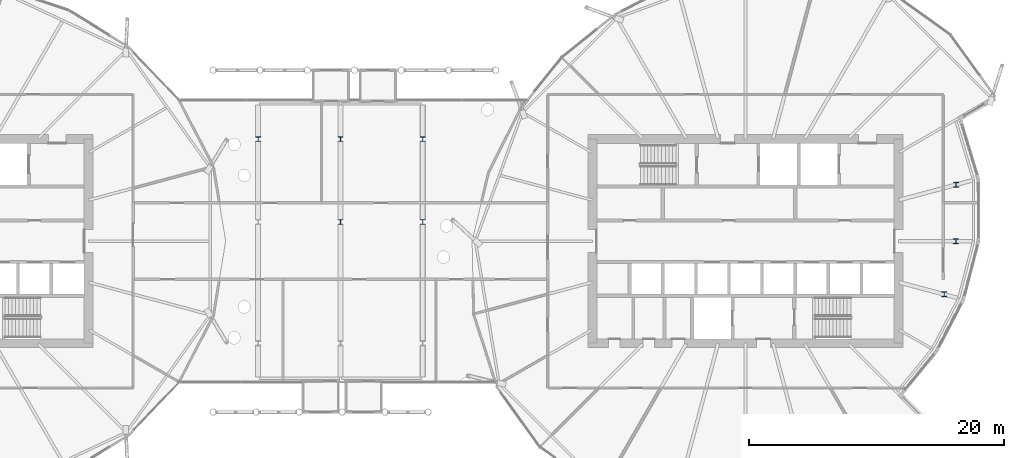
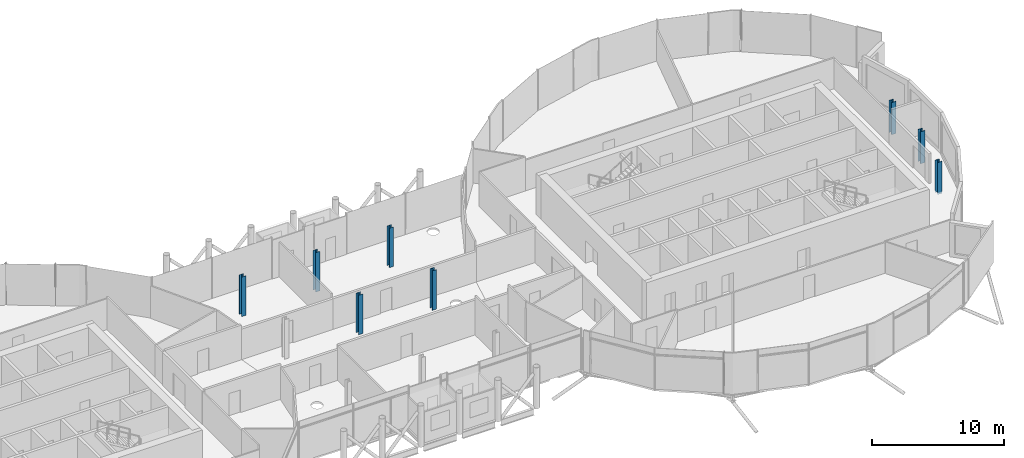
# One storey, part 2 of 39: 8 columns.
"""IFC4 building model written with IfcOpenShell, lengths in metres."""

from ifc_helpers import new_model, si_unit, direction, frame, origin, origin_2d, place, context, subcontext, project, spatial, i_section, extrude, material, material_profile, profile_set, type_object, element, save


model = new_model("IFC4")

# Units and contexts
model_context = context("Model", 3, precision=1e-05, world=origin(), true_north=direction((0.0, 1.0)))
body_context = subcontext(model_context, "Body", "Model", "MODEL_VIEW")
ifc_project = project(units=[si_unit("LENGTHUNIT", "METRE"), si_unit("AREAUNIT", "SQUARE_METRE"), si_unit("VOLUMEUNIT", "CUBIC_METRE"), si_unit("PLANEANGLEUNIT", "RADIAN"), si_unit("MASSUNIT", "GRAM", prefix="KILO")], contexts=[model_context])

# Site, building, storey
site_placement = place(None, origin())
site = spatial("IfcSite", under=ifc_project, at=site_placement, CompositionType="ELEMENT")
building_placement = place(site_placement, origin())
building = spatial("IfcBuilding", under=site, at=building_placement, Name="Rimbun Link Towers", CompositionType="ELEMENT")
storey_placement = place(building_placement, frame((0.0, 0.0, 143.0)))
storey = spatial("IfcBuildingStorey", under=building, at=storey_placement, Name="L34", CompositionType="ELEMENT", Elevation=143.0)

# Columns
ifc_material_1 = material(Name="Steel S355J2", Category="steel")
ifc_material_profile_1 = material_profile(ifc_material_1, i_section(OverallWidth=0.374755859375, OverallDepth=0.37451171875, WebThickness=0.0166015625, FlangeThickness=0.027099609375, at=origin_2d()), Name="UKC 356x368x202")
ifc_profile_set_1 = profile_set([ifc_material_profile_1], Name="Steel S355J2")
column_type_1 = type_object("IfcColumnType", Name="Link column UKC 356x368x202", PredefinedType="COLUMN", material=ifc_profile_set_1)
for number, where, z_axis, x_axis, name in (
    (1, (-6.449951171875, 8.0, 0.0), (0.0, 0.0, 1.0), (1.0, 0.0, 0.0), "Link column L34 3-1"),
    (2, (0.0, 1.5, 0.0), (0.0, 0.0, 1.0), (1.0, 0.0, 0.0), "Link column L34 2-2"),
    (3, (0.0, 8.0, 0.0), (0.0, 0.0, 1.0), (1.0, 0.0, 0.0), "Link column L34 3-2"),
    (4, (6.449951171875, 1.5, 0.0), (0.0, 0.0, 1.0), (1.0, 0.0, 0.0), "Link column L34 2-3"),
    (5, (6.449951171875, 8.0, 0.0), (0.0, 0.0, 1.0), (1.0, 0.0, 0.0), "Link column L34 3-3"),
):
    element("IfcColumn", number, at=place(storey_placement, frame(where, z_axis=z_axis, x_axis=x_axis)), inside=storey, type_object=column_type_1, Name=name, PredefinedType="COLUMN", context=body_context, shape_type="SweptSolid", body=[
        extrude(i_section(OverallWidth=0.374755859375, OverallDepth=0.37451171875, WebThickness=0.0166015625, FlangeThickness=0.027099609375, at=origin_2d()), origin(), (0.0, 0.0, 1.0), 3.639892578125),
    ])
ifc_material_2 = material(Name="Steel S355J2", Category="steel")
ifc_material_profile_2 = material_profile(ifc_material_2, i_section(OverallWidth=0.39892578125, OverallDepth=0.3935546875, WebThickness=0.022705078125, FlangeThickness=0.03662109375, at=origin_2d()), Name="UC 356x406x287")
ifc_profile_set_2 = profile_set([ifc_material_profile_2], Name="Steel S355J2")
column_type_2 = type_object("IfcColumnType", Name="UC 356x406x287", PredefinedType="COLUMN", material=ifc_profile_set_2)
for number, where, z_axis, x_axis, name in (
    (6, (47.317138671875, -4.171142578125, -0.179931640625), (0.0, 0.0, 1.0), (1.0, 0.0, 0.0), "Crease post T2 L34 20"),
    (7, (48.236083984375, 0.0, -0.179931640625), (0.0, 0.0, 1.0), (1.0, 0.0, 0.0), "Crease post T2 L34 21"),
    (8, (48.25146484375, 4.42138671875, -0.179931640625), (0.0, 0.0, 1.0), (1.0, 0.0, 0.0), "Crease post T2 L34 22"),
):
    element("IfcColumn", number, at=place(storey_placement, frame(where, z_axis=z_axis, x_axis=x_axis)), inside=storey, type_object=column_type_2, Name=name, PredefinedType="COLUMN", context=body_context, shape_type="SweptSolid", body=[
        extrude(i_section(OverallWidth=0.39892578125, OverallDepth=0.3935546875, WebThickness=0.022705078125, FlangeThickness=0.03662109375, at=origin_2d()), origin(), (0.0, 0.0, 1.0), 2.959228515625),
    ])

save(model, "model.ifc")
